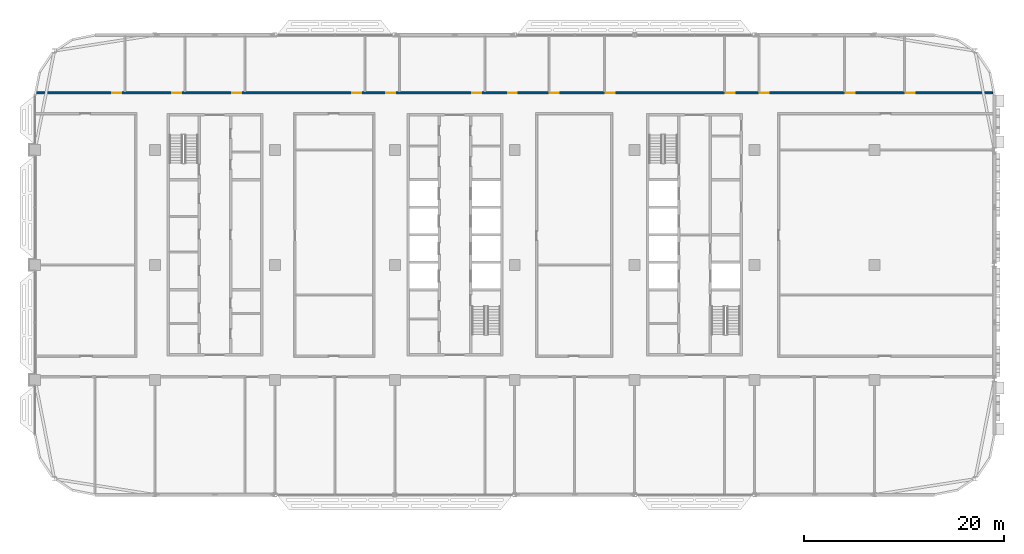
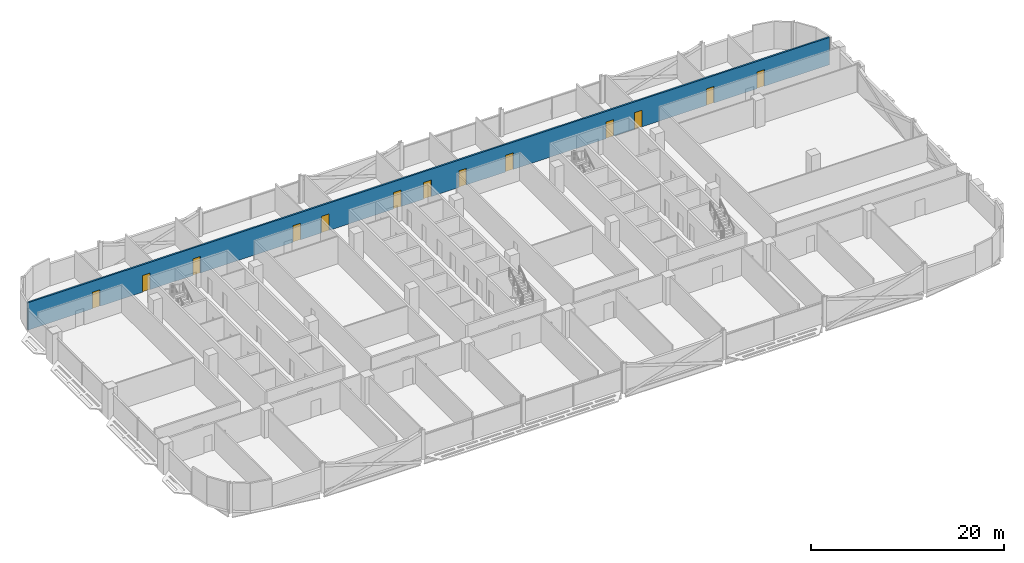
# One storey, part 16 of 29: 13 doors, 1 wall, 13 openings.
"""IFC4 building model written with IfcOpenShell, lengths in metres."""

from ifc_helpers import new_model, si_unit, direction, frame, frame_2d, origin, place, context, subcontext, project, spatial, rectangle, extrude, material, layer, layer_set, type_object, element, fill, save


model = new_model("IFC4")

# Units and contexts
model_context = context("Model", 3, precision=1e-05, world=origin(), true_north=direction((0.0, 1.0)))
body_context = subcontext(model_context, "Body", "Model", "MODEL_VIEW")
ifc_project = project(units=[si_unit("LENGTHUNIT", "METRE"), si_unit("AREAUNIT", "SQUARE_METRE"), si_unit("VOLUMEUNIT", "CUBIC_METRE"), si_unit("PLANEANGLEUNIT", "RADIAN"), si_unit("MASSUNIT", "GRAM", prefix="KILO")], contexts=[model_context])

# Site, building, storey
site_placement = place(None, origin())
site = spatial("IfcSite", under=ifc_project, at=site_placement, CompositionType="ELEMENT")
building_placement = place(site_placement, origin())
building = spatial("IfcBuilding", under=site, at=building_placement, Name="Mahtab Terrace Research Tower", CompositionType="ELEMENT")
storey_placement = place(building_placement, frame((0.0, 0.0, 197.699951171875)))
storey = spatial("IfcBuildingStorey", under=building, at=storey_placement, Name="L47", CompositionType="ELEMENT", Elevation=197.699951171875)

# Wall, openings, doors
ifc_material_1 = material(Name="Gypsum board corridor wall on steel studs", Category="steel")
ifc_layer = layer(ifc_material_1, 0.199951171875)
ifc_layer_set = layer_set([ifc_layer], Name="WALL CORRIDOR 200")
wall_type = type_object("IfcWallType", Name="WALL CORRIDOR 200", PredefinedType="PARTITIONING", material=ifc_layer_set)
wall_placement = place(storey_placement, frame((-41.97509765625, 17.199951171875, 0.0), z_axis=(0.0, 0.0, 1.0), x_axis=(1.0, 0.0, 0.0)))
wall = element("IfcWall", 1, at=wall_placement, inside=storey, type_object=wall_type, Name="L47-W024", PredefinedType="PARTITIONING", context=body_context, shape_type="SweptSolid", body=[
    extrude(rectangle(XDim=95.782470703125, YDim=0.199951171875, at=frame_2d((47.89111328125, 0.0))), origin(), (0.0, 0.0, 1.0), 3.4599609375),
])
opening_1_placement = place(wall_placement, frame((7.699951171875, 0.0, 0.0)))
opening_1 = element("IfcOpeningElement", 2, at=opening_1_placement, cuts=wall, Name="Opening L47-126", PredefinedType="OPENING", context=body_context, shape_type="SweptSolid", body=[
    extrude(rectangle(XDim=0.89990234375, YDim=2.10009765625, at=frame_2d((0.449951171875, 1.050048828125))), frame((0.0, 0.10986328125, 0.0), z_axis=(0.0, -1.0, 0.0), x_axis=(1.0, 0.0, 0.0)), (0.0, 0.0, 1.0), 0.219970703125),
])
opening_2_placement = place(wall_placement, frame((13.699951171875, 0.0, 0.0)))
opening_2 = element("IfcOpeningElement", 3, at=opening_2_placement, cuts=wall, Name="Opening L47-127", PredefinedType="OPENING", context=body_context, shape_type="SweptSolid", body=[
    extrude(rectangle(XDim=0.89990234375, YDim=2.10009765625, at=frame_2d((0.449951171875, 1.050048828125))), frame((0.0, 0.10986328125, 0.0), z_axis=(0.0, -1.0, 0.0), x_axis=(1.0, 0.0, 0.0)), (0.0, 0.0, 1.0), 0.219970703125),
])
opening_3_placement = place(wall_placement, frame((19.699951171875, 0.0, 0.0)))
opening_3 = element("IfcOpeningElement", 4, at=opening_3_placement, cuts=wall, Name="Opening L47-128", PredefinedType="OPENING", context=body_context, shape_type="SweptSolid", body=[
    extrude(rectangle(XDim=0.89990234375, YDim=2.10009765625, at=frame_2d((0.449951171875, 1.050048828125))), frame((0.0, 0.10986328125, 0.0), z_axis=(0.0, -1.0, 0.0), x_axis=(1.0, 0.0, 0.0)), (0.0, 0.0, 1.0), 0.219970703125),
])
opening_4_placement = place(wall_placement, frame((31.699951171875, 0.0, 0.0)))
opening_4 = element("IfcOpeningElement", 5, at=opening_4_placement, cuts=wall, Name="Opening L47-129", PredefinedType="OPENING", context=body_context, shape_type="SweptSolid", body=[
    extrude(rectangle(XDim=0.89990234375, YDim=2.10009765625, at=frame_2d((0.449951171875, 1.050048828125))), frame((0.0, 0.10986328125, 0.0), z_axis=(0.0, -1.0, 0.0), x_axis=(1.0, 0.0, 0.0)), (0.0, 0.0, 1.0), 0.219970703125),
])
opening_5_placement = place(wall_placement, frame((35.10009765625, 0.0, 0.0)))
opening_5 = element("IfcOpeningElement", 6, at=opening_5_placement, cuts=wall, Name="Opening L47-130", PredefinedType="OPENING", context=body_context, shape_type="SweptSolid", body=[
    extrude(rectangle(XDim=0.89990234375, YDim=2.10009765625, at=frame_2d((0.449951171875, 1.050048828125))), frame((0.0, 0.10986328125, 0.0), z_axis=(0.0, -1.0, 0.0), x_axis=(1.0, 0.0, 0.0)), (0.0, 0.0, 1.0), 0.219970703125),
])
opening_6_placement = place(wall_placement, frame((43.699951171875, 0.0, 0.0)))
opening_6 = element("IfcOpeningElement", 7, at=opening_6_placement, cuts=wall, Name="Opening L47-131", PredefinedType="OPENING", context=body_context, shape_type="SweptSolid", body=[
    extrude(rectangle(XDim=0.89990234375, YDim=2.10009765625, at=frame_2d((0.449951171875, 1.050048828125))), frame((0.0, 0.10986328125, 0.0), z_axis=(0.0, -1.0, 0.0), x_axis=(1.0, 0.0, 0.0)), (0.0, 0.0, 1.0), 0.219970703125),
])
opening_7_placement = place(wall_placement, frame((47.300048828125, 0.0, 0.0)))
opening_7 = element("IfcOpeningElement", 8, at=opening_7_placement, cuts=wall, Name="Opening L47-132", PredefinedType="OPENING", context=body_context, shape_type="SweptSolid", body=[
    extrude(rectangle(XDim=0.89990234375, YDim=2.10009765625, at=frame_2d((0.449951171875, 1.050048828125))), frame((0.0, 0.10986328125, 0.0), z_axis=(0.0, -1.0, 0.0), x_axis=(1.0, 0.0, 0.0)), (0.0, 0.0, 1.0), 0.219970703125),
])
opening_8_placement = place(wall_placement, frame((51.5, 0.0, 0.0)))
opening_8 = element("IfcOpeningElement", 9, at=opening_8_placement, cuts=wall, Name="Opening L47-133", PredefinedType="OPENING", context=body_context, shape_type="SweptSolid", body=[
    extrude(rectangle(XDim=0.89990234375, YDim=2.10009765625, at=frame_2d((0.449951171875, 1.050048828125))), frame((0.0, 0.10986328125, 0.0), z_axis=(0.0, -1.0, 0.0), x_axis=(1.0, 0.0, 0.0)), (0.0, 0.0, 1.0), 0.219970703125),
])
opening_9_placement = place(wall_placement, frame((57.10009765625, 0.0, 0.0)))
opening_9 = element("IfcOpeningElement", 10, at=opening_9_placement, cuts=wall, Name="Opening L47-134", PredefinedType="OPENING", context=body_context, shape_type="SweptSolid", body=[
    extrude(rectangle(XDim=0.89990234375, YDim=2.10009765625, at=frame_2d((0.449951171875, 1.050048828125))), frame((0.0, 0.10986328125, 0.0), z_axis=(0.0, -1.0, 0.0), x_axis=(1.0, 0.0, 0.0)), (0.0, 0.0, 1.0), 0.219970703125),
])
opening_10_placement = place(wall_placement, frame((69.10009765625, 0.0, 0.0)))
opening_10 = element("IfcOpeningElement", 11, at=opening_10_placement, cuts=wall, Name="Opening L47-135", PredefinedType="OPENING", context=body_context, shape_type="SweptSolid", body=[
    extrude(rectangle(XDim=0.89990234375, YDim=2.10009765625, at=frame_2d((0.449951171875, 1.050048828125))), frame((0.0, 0.10986328125, 0.0), z_axis=(0.0, -1.0, 0.0), x_axis=(1.0, 0.0, 0.0)), (0.0, 0.0, 1.0), 0.219970703125),
])
opening_11_placement = place(wall_placement, frame((72.5, 0.0, 0.0)))
opening_11 = element("IfcOpeningElement", 12, at=opening_11_placement, cuts=wall, Name="Opening L47-136", PredefinedType="OPENING", context=body_context, shape_type="SweptSolid", body=[
    extrude(rectangle(XDim=0.89990234375, YDim=2.10009765625, at=frame_2d((0.449951171875, 1.050048828125))), frame((0.0, 0.10986328125, 0.0), z_axis=(0.0, -1.0, 0.0), x_axis=(1.0, 0.0, 0.0)), (0.0, 0.0, 1.0), 0.219970703125),
])
opening_12_placement = place(wall_placement, frame((81.10009765625, 0.0, 0.0)))
opening_12 = element("IfcOpeningElement", 13, at=opening_12_placement, cuts=wall, Name="Opening L47-137", PredefinedType="OPENING", context=body_context, shape_type="SweptSolid", body=[
    extrude(rectangle(XDim=0.89990234375, YDim=2.10009765625, at=frame_2d((0.449951171875, 1.050048828125))), frame((0.0, 0.10986328125, 0.0), z_axis=(0.0, -1.0, 0.0), x_axis=(1.0, 0.0, 0.0)), (0.0, 0.0, 1.0), 0.219970703125),
])
opening_13_placement = place(wall_placement, frame((87.10009765625, 0.0, 0.0)))
opening_13 = element("IfcOpeningElement", 14, at=opening_13_placement, cuts=wall, Name="Opening L47-138", PredefinedType="OPENING", context=body_context, shape_type="SweptSolid", body=[
    extrude(rectangle(XDim=0.89990234375, YDim=2.10009765625, at=frame_2d((0.449951171875, 1.050048828125))), frame((0.0, 0.10986328125, 0.0), z_axis=(0.0, -1.0, 0.0), x_axis=(1.0, 0.0, 0.0)), (0.0, 0.0, 1.0), 0.219970703125),
])
ifc_material_2 = material(Name="Timber door leaf in steel frame", Category="steel")
door_type = type_object("IfcDoorType", Name="DOOR 0900X2100 FD30S", OperationType="SINGLE_SWING_LEFT", PredefinedType="DOOR", material=ifc_material_2)
door_1_placement = place(opening_1_placement, origin())
door_1 = element("IfcDoor", 15, at=door_1_placement, inside=storey, type_object=door_type, Name="Door L47-126", OperationType="SINGLE_SWING_LEFT", OverallHeight=2.10009765625, OverallWidth=0.89990234375, PredefinedType="DOOR", context=body_context, shape_type="SweptSolid", body=[
    extrude(rectangle(XDim=0.89990234375, YDim=2.10009765625, at=frame_2d((0.449951171875, 1.050048828125))), frame((0.0, 0.02490234375, 0.0), z_axis=(0.0, -1.0, 0.0), x_axis=(1.0, 0.0, 0.0)), (0.0, 0.0, 1.0), 0.050048828125),
])
fill(opening_1, door_1)
door_2_placement = place(opening_2_placement, origin())
door_2 = element("IfcDoor", 16, at=door_2_placement, inside=storey, type_object=door_type, Name="Door L47-127", OperationType="SINGLE_SWING_LEFT", OverallHeight=2.10009765625, OverallWidth=0.89990234375, PredefinedType="DOOR", context=body_context, shape_type="SweptSolid", body=[
    extrude(rectangle(XDim=0.89990234375, YDim=2.10009765625, at=frame_2d((0.449951171875, 1.050048828125))), frame((0.0, 0.02490234375, 0.0), z_axis=(0.0, -1.0, 0.0), x_axis=(1.0, 0.0, 0.0)), (0.0, 0.0, 1.0), 0.050048828125),
])
fill(opening_2, door_2)
door_3_placement = place(opening_3_placement, origin())
door_3 = element("IfcDoor", 17, at=door_3_placement, inside=storey, type_object=door_type, Name="Door L47-128", OperationType="SINGLE_SWING_LEFT", OverallHeight=2.10009765625, OverallWidth=0.89990234375, PredefinedType="DOOR", context=body_context, shape_type="SweptSolid", body=[
    extrude(rectangle(XDim=0.89990234375, YDim=2.10009765625, at=frame_2d((0.449951171875, 1.050048828125))), frame((0.0, 0.02490234375, 0.0), z_axis=(0.0, -1.0, 0.0), x_axis=(1.0, 0.0, 0.0)), (0.0, 0.0, 1.0), 0.050048828125),
])
fill(opening_3, door_3)
door_4_placement = place(opening_4_placement, origin())
door_4 = element("IfcDoor", 18, at=door_4_placement, inside=storey, type_object=door_type, Name="Door L47-129", OperationType="SINGLE_SWING_LEFT", OverallHeight=2.10009765625, OverallWidth=0.89990234375, PredefinedType="DOOR", context=body_context, shape_type="SweptSolid", body=[
    extrude(rectangle(XDim=0.89990234375, YDim=2.10009765625, at=frame_2d((0.449951171875, 1.050048828125))), frame((0.0, 0.02490234375, 0.0), z_axis=(0.0, -1.0, 0.0), x_axis=(1.0, 0.0, 0.0)), (0.0, 0.0, 1.0), 0.050048828125),
])
fill(opening_4, door_4)
door_5_placement = place(opening_5_placement, origin())
door_5 = element("IfcDoor", 19, at=door_5_placement, inside=storey, type_object=door_type, Name="Door L47-130", OperationType="SINGLE_SWING_LEFT", OverallHeight=2.10009765625, OverallWidth=0.89990234375, PredefinedType="DOOR", context=body_context, shape_type="SweptSolid", body=[
    extrude(rectangle(XDim=0.89990234375, YDim=2.10009765625, at=frame_2d((0.449951171875, 1.050048828125))), frame((0.0, 0.02490234375, 0.0), z_axis=(0.0, -1.0, 0.0), x_axis=(1.0, 0.0, 0.0)), (0.0, 0.0, 1.0), 0.050048828125),
])
fill(opening_5, door_5)
door_6_placement = place(opening_6_placement, origin())
door_6 = element("IfcDoor", 20, at=door_6_placement, inside=storey, type_object=door_type, Name="Door L47-131", OperationType="SINGLE_SWING_LEFT", OverallHeight=2.10009765625, OverallWidth=0.89990234375, PredefinedType="DOOR", context=body_context, shape_type="SweptSolid", body=[
    extrude(rectangle(XDim=0.89990234375, YDim=2.10009765625, at=frame_2d((0.449951171875, 1.050048828125))), frame((0.0, 0.02490234375, 0.0), z_axis=(0.0, -1.0, 0.0), x_axis=(1.0, 0.0, 0.0)), (0.0, 0.0, 1.0), 0.050048828125),
])
fill(opening_6, door_6)
door_7_placement = place(opening_7_placement, origin())
door_7 = element("IfcDoor", 21, at=door_7_placement, inside=storey, type_object=door_type, Name="Door L47-132", OperationType="SINGLE_SWING_LEFT", OverallHeight=2.10009765625, OverallWidth=0.89990234375, PredefinedType="DOOR", context=body_context, shape_type="SweptSolid", body=[
    extrude(rectangle(XDim=0.89990234375, YDim=2.10009765625, at=frame_2d((0.449951171875, 1.050048828125))), frame((0.0, 0.02490234375, 0.0), z_axis=(0.0, -1.0, 0.0), x_axis=(1.0, 0.0, 0.0)), (0.0, 0.0, 1.0), 0.050048828125),
])
fill(opening_7, door_7)
door_8_placement = place(opening_8_placement, origin())
door_8 = element("IfcDoor", 22, at=door_8_placement, inside=storey, type_object=door_type, Name="Door L47-133", OperationType="SINGLE_SWING_RIGHT", OverallHeight=2.10009765625, OverallWidth=0.89990234375, PredefinedType="DOOR", context=body_context, shape_type="SweptSolid", body=[
    extrude(rectangle(XDim=0.89990234375, YDim=2.10009765625, at=frame_2d((0.449951171875, 1.050048828125))), frame((0.0, 0.02490234375, 0.0), z_axis=(0.0, -1.0, 0.0), x_axis=(1.0, 0.0, 0.0)), (0.0, 0.0, 1.0), 0.050048828125),
])
fill(opening_8, door_8)
door_9_placement = place(opening_9_placement, origin())
door_9 = element("IfcDoor", 23, at=door_9_placement, inside=storey, type_object=door_type, Name="Door L47-134", OperationType="SINGLE_SWING_RIGHT", OverallHeight=2.10009765625, OverallWidth=0.89990234375, PredefinedType="DOOR", context=body_context, shape_type="SweptSolid", body=[
    extrude(rectangle(XDim=0.89990234375, YDim=2.10009765625, at=frame_2d((0.449951171875, 1.050048828125))), frame((0.0, 0.02490234375, 0.0), z_axis=(0.0, -1.0, 0.0), x_axis=(1.0, 0.0, 0.0)), (0.0, 0.0, 1.0), 0.050048828125),
])
fill(opening_9, door_9)
door_10_placement = place(opening_10_placement, origin())
door_10 = element("IfcDoor", 24, at=door_10_placement, inside=storey, type_object=door_type, Name="Door L47-135", OperationType="SINGLE_SWING_RIGHT", OverallHeight=2.10009765625, OverallWidth=0.89990234375, PredefinedType="DOOR", context=body_context, shape_type="SweptSolid", body=[
    extrude(rectangle(XDim=0.89990234375, YDim=2.10009765625, at=frame_2d((0.449951171875, 1.050048828125))), frame((0.0, 0.02490234375, 0.0), z_axis=(0.0, -1.0, 0.0), x_axis=(1.0, 0.0, 0.0)), (0.0, 0.0, 1.0), 0.050048828125),
])
fill(opening_10, door_10)
door_11_placement = place(opening_11_placement, origin())
door_11 = element("IfcDoor", 25, at=door_11_placement, inside=storey, type_object=door_type, Name="Door L47-136", OperationType="SINGLE_SWING_RIGHT", OverallHeight=2.10009765625, OverallWidth=0.89990234375, PredefinedType="DOOR", context=body_context, shape_type="SweptSolid", body=[
    extrude(rectangle(XDim=0.89990234375, YDim=2.10009765625, at=frame_2d((0.449951171875, 1.050048828125))), frame((0.0, 0.02490234375, 0.0), z_axis=(0.0, -1.0, 0.0), x_axis=(1.0, 0.0, 0.0)), (0.0, 0.0, 1.0), 0.050048828125),
])
fill(opening_11, door_11)
door_12_placement = place(opening_12_placement, origin())
door_12 = element("IfcDoor", 26, at=door_12_placement, inside=storey, type_object=door_type, Name="Door L47-137", OperationType="SINGLE_SWING_RIGHT", OverallHeight=2.10009765625, OverallWidth=0.89990234375, PredefinedType="DOOR", context=body_context, shape_type="SweptSolid", body=[
    extrude(rectangle(XDim=0.89990234375, YDim=2.10009765625, at=frame_2d((0.449951171875, 1.050048828125))), frame((0.0, 0.02490234375, 0.0), z_axis=(0.0, -1.0, 0.0), x_axis=(1.0, 0.0, 0.0)), (0.0, 0.0, 1.0), 0.050048828125),
])
fill(opening_12, door_12)
door_13_placement = place(opening_13_placement, origin())
door_13 = element("IfcDoor", 27, at=door_13_placement, inside=storey, type_object=door_type, Name="Door L47-138", OperationType="SINGLE_SWING_RIGHT", OverallHeight=2.10009765625, OverallWidth=0.89990234375, PredefinedType="DOOR", context=body_context, shape_type="SweptSolid", body=[
    extrude(rectangle(XDim=0.89990234375, YDim=2.10009765625, at=frame_2d((0.449951171875, 1.050048828125))), frame((0.0, 0.02490234375, 0.0), z_axis=(0.0, -1.0, 0.0), x_axis=(1.0, 0.0, 0.0)), (0.0, 0.0, 1.0), 0.050048828125),
])
fill(opening_13, door_13)

save(model, "model.ifc")
